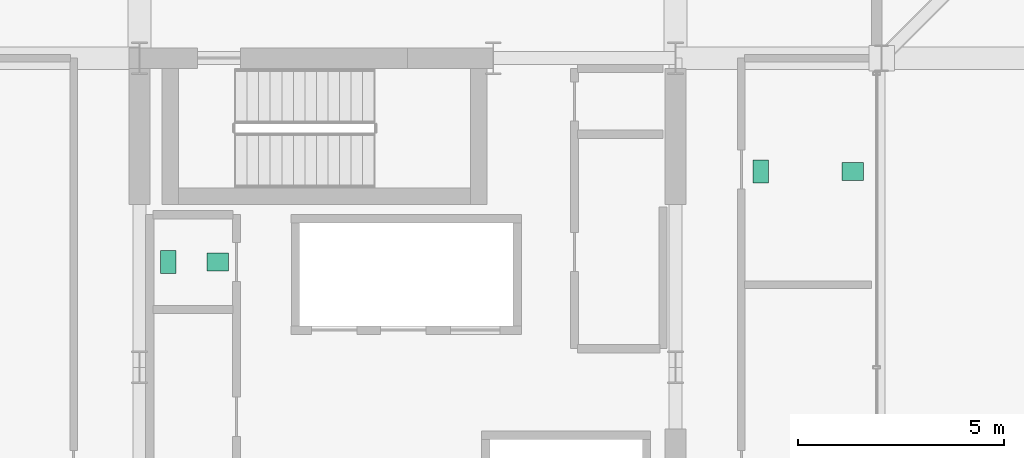
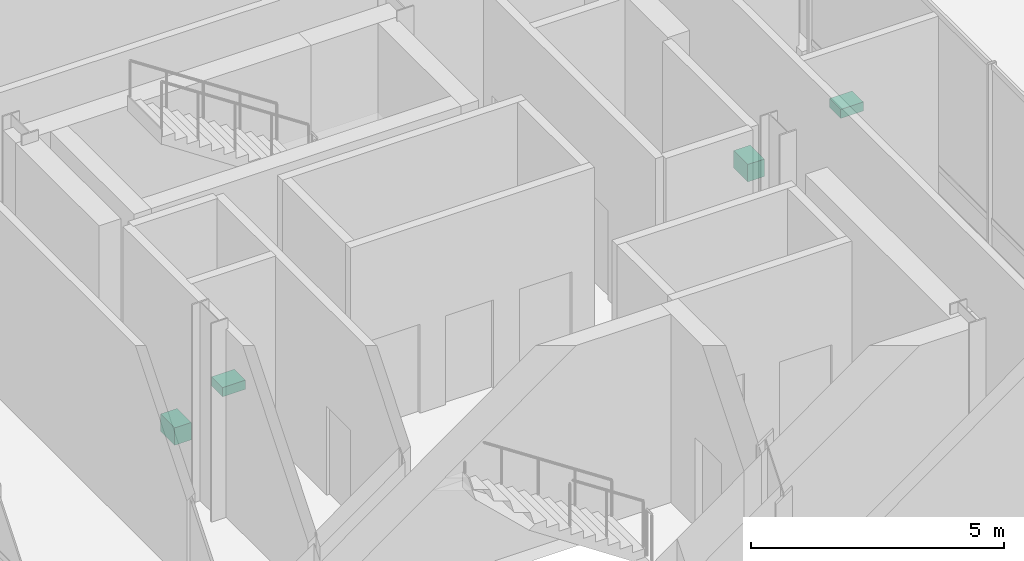
# One storey, part 17 of 17: 4 sanitary terminals.
"""IFC4 building model written with IfcOpenShell, lengths in metres."""

import ifcopenshell
import ifcopenshell.guid

model = None  # the IFC model being written
_history = None  # IfcOwnerHistory: only IFC2X3 demands one
_inside = {}  # id of a spatial element -> (the spatial element, [elements in it])
_under = {}  # id of a project, library or spatial element -> (it, [spatial elements below it])
_declared = {}  # id of a project -> (the project, [libraries it declares])
_typed = {}  # id of a type object -> (the type object, [elements of that type])
_made_of = {}  # id of a material, layer set ... -> (it, [elements and type objects made of it])


def new_model(schema):
    """Start an empty IFC model of exactly this schema.

    Asked for "IFC4X3", IfcOpenShell would pick the latest addendum, in which some entities
    have other attributes; the version numbers below select the first issue.
    IFC2X3 requires an IfcOwnerHistory on every rooted entity: one is made here for all.
    """
    global model, _history
    if schema == "IFC4X3":
        model = ifcopenshell.file(schema_version=(4, 3, 0, 0))
    else:
        model = ifcopenshell.file(schema=schema)
    _inside.clear()
    _under.clear()
    _declared.clear()
    _typed.clear()
    _made_of.clear()
    _history = None
    if model.schema == "IFC2X3":
        org = make("IfcOrganization", Name="unknown")
        user = make(
            "IfcPersonAndOrganization",
            ThePerson=make("IfcPerson", FamilyName="unknown"),
            TheOrganization=org,
        )
        app = make(
            "IfcApplication",
            ApplicationDeveloper=org,
            Version="unknown",
            ApplicationFullName="unknown",
            ApplicationIdentifier="unknown",
        )
        _history = make(
            "IfcOwnerHistory",
            OwningUser=user,
            OwningApplication=app,
            ChangeAction="ADDED",
            CreationDate=0,
        )
    return model


def make(cls, **values):
    """One entity of the class cls with the attributes given. An attribute that is None is left unset."""
    return model.create_entity(
        cls, **{name: value for name, value in values.items() if value is not None}
    )


def rooted(cls, **values):
    """An entity with a GlobalId (a new one), such as an element, a storey or a relation."""
    return make(cls, GlobalId=ifcopenshell.guid.new(), OwnerHistory=_history, **values)


def si_unit(unit_type, name, prefix=None):
    """IfcSIUnit, for example si_unit("LENGTHUNIT", "METRE", prefix="MILLI")."""
    return make("IfcSIUnit", UnitType=unit_type, Prefix=prefix, Name=name)


def assignment(units):
    """IfcUnitAssignment: the units of a project."""
    return None if units is None else make("IfcUnitAssignment", Units=units)


def point(xyz):
    """IfcCartesianPoint."""
    return None if xyz is None else make("IfcCartesianPoint", Coordinates=xyz)


def direction(xyz):
    """IfcDirection."""
    return None if xyz is None else make("IfcDirection", DirectionRatios=xyz)


def frame(location, z_axis=None, x_axis=None):
    """IfcAxis2Placement3D, a coordinate frame: its origin and axes. An axis left out is left unset."""
    return make(
        "IfcAxis2Placement3D",
        Location=point(location),
        Axis=direction(z_axis),
        RefDirection=direction(x_axis),
    )


def frame_2d(location, x_axis=None):
    """IfcAxis2Placement2D, a coordinate frame in the plane: its origin and x axis."""
    return make(
        "IfcAxis2Placement2D", Location=point(location), RefDirection=direction(x_axis)
    )


def origin():
    """The frame at (0, 0, 0) with its axes left unset."""
    return frame((0.0, 0.0, 0.0))


def origin_2d():
    """The frame at (0, 0) in the plane with its x axis left unset."""
    return frame_2d((0.0, 0.0))


def place(relative_to, where):
    """IfcLocalPlacement: puts the frame where relative to a parent placement (None: the world)."""
    return make(
        "IfcLocalPlacement", PlacementRelTo=relative_to, RelativePlacement=where
    )


def context(
    kind, dimensions, precision=None, world=None, true_north=None, identifier=None
):
    """IfcGeometricRepresentationContext, for example the 3D "Model" context."""
    return make(
        "IfcGeometricRepresentationContext",
        ContextIdentifier=identifier,
        ContextType=kind,
        CoordinateSpaceDimension=dimensions,
        Precision=precision,
        WorldCoordinateSystem=world,
        TrueNorth=true_north,
    )


def subcontext(parent, identifier, kind, view, scale=None):
    """IfcGeometricRepresentationSubContext, for example "Body" below "Model"."""
    return make(
        "IfcGeometricRepresentationSubContext",
        ContextIdentifier=identifier,
        ContextType=kind,
        ParentContext=parent,
        TargetScale=scale,
        TargetView=view,
    )


def project(units=None, contexts=None):
    """IfcProject with its units and contexts."""
    return rooted(
        "IfcProject",
        Name="project",
        RepresentationContexts=contexts,
        UnitsInContext=assignment(units),
    )


def spatial(cls, under=None, at=None, **own):
    """A site, building, storey or space (cls), placed at a placement, below another one or the project."""
    s = rooted(cls, ObjectPlacement=at, **own)
    if under is not None:
        _under.setdefault(under.id(), (under, []))[1].append(s)
    return s


def profile(cls, at=None, kind="AREA", **sizes):
    """A parametric profile (cls). Its sizes go by their IFC names, for example OverallWidth=200.0."""
    return make(cls, ProfileType=kind, Position=at, **sizes)


def rectangle(**sizes):
    """IfcRectangleProfileDef."""
    return profile("IfcRectangleProfileDef", **sizes)


def extrude(swept, where, along, depth):
    """IfcExtrudedAreaSolid: the profile swept, set in the frame where, extruded along a direction by depth."""
    return make(
        "IfcExtrudedAreaSolid",
        SweptArea=swept,
        Position=where,
        ExtrudedDirection=direction(along),
        Depth=depth,
    )


def shape(context_of_items, identifier, shape_type, items):
    """IfcShapeRepresentation: the items that make up one representation, for example the "Body"."""
    return make(
        "IfcShapeRepresentation",
        ContextOfItems=context_of_items,
        RepresentationIdentifier=identifier,
        RepresentationType=shape_type,
        Items=items,
    )


def material(Name=None, Category=None):
    """IfcMaterial."""
    return make("IfcMaterial", Name=Name, Category=Category)


def made_of(thing, what):
    """Note that an element or type object is made of a material, layer set ...; save() writes the relation."""
    if what is not None:
        _made_of.setdefault(what.id(), (what, []))[1].append(thing)
    return thing


def type_object(cls, material=None, **own):
    """A type object (cls), such as IfcWallType, which elements share."""
    return made_of(rooted(cls, **own), material)


def element(
    cls,
    number,
    at=None,
    inside=None,
    cuts=None,
    type_object=None,
    material=None,
    context=None,
    identifier="Body",
    shape_type=None,
    held_by="IfcProductDefinitionShape",
    body=None,
    shapes=None,
    **own,
):
    """One element of the class cls, such as IfcWall. Its Tag is "e" and its number.

    at: its placement. inside: the storey or other place that contains it. cuts: it is an
    opening in that element (IfcRelVoidsElement). A single representation is given by context,
    identifier, shape_type and body (its items); several are given by shapes. held_by: the class
    of the entity that holds the representations. save() writes the other relations.
    """
    e = rooted(cls, Tag="e%d" % number, ObjectPlacement=at, **own)
    if body is not None:
        shapes = [shape(context, identifier, shape_type, body)]
    if shapes is not None:
        e.Representation = make(held_by, Representations=shapes)
    if inside is not None:
        _inside.setdefault(inside.id(), (inside, []))[1].append(e)
    if cuts is not None:
        rooted(
            "IfcRelVoidsElement", RelatingBuildingElement=cuts, RelatedOpeningElement=e
        )
    if type_object is not None:
        _typed.setdefault(type_object.id(), (type_object, []))[1].append(e)
    return made_of(e, material)


def aggregate(whole, parts):
    """IfcRelAggregates: a whole, such as a stair, and the parts it consists of."""
    return rooted("IfcRelAggregates", RelatingObject=whole, RelatedObjects=parts)


def save(model, path):
    """Write the relations noted so far, then the file.

    IfcRelAggregates (storeys below a building ...), IfcRelContainedInSpatialStructure (elements
    in a storey), IfcRelDefinesByType, IfcRelAssociatesMaterial and IfcRelDeclares: one each for
    every whole, place, type object, material and project.
    """
    for whole, parts in _under.values():
        aggregate(whole, parts)
    for where, things in _inside.values():
        rooted(
            "IfcRelContainedInSpatialStructure",
            RelatedElements=things,
            RelatingStructure=where,
        )
    for kind, things in _typed.values():
        rooted("IfcRelDefinesByType", RelatedObjects=things, RelatingType=kind)
    for what, things in _made_of.values():
        rooted("IfcRelAssociatesMaterial", RelatedObjects=things, RelatingMaterial=what)
    for by, libraries in _declared.values():
        rooted("IfcRelDeclares", RelatingContext=by, RelatedDefinitions=libraries)
    model.write(path)


model = new_model("IFC4")

# Units and contexts
model_context = context("Model", 3, precision=1e-05, world=origin(), true_north=direction((0.0, 1.0)))
body_context = subcontext(model_context, "Body", "Model", "MODEL_VIEW")
ifc_project = project(units=[si_unit("LENGTHUNIT", "METRE"), si_unit("AREAUNIT", "SQUARE_METRE"), si_unit("VOLUMEUNIT", "CUBIC_METRE"), si_unit("PLANEANGLEUNIT", "RADIAN"), si_unit("MASSUNIT", "GRAM", prefix="KILO")], contexts=[model_context])

# Site, building, storey
site_placement = place(None, origin())
site = spatial("IfcSite", under=ifc_project, at=site_placement, CompositionType="ELEMENT")
building_placement = place(site_placement, origin())
building = spatial("IfcBuilding", under=site, at=building_placement, Name="Barlavira Tower and Art Museum", CompositionType="ELEMENT")
storey_placement = place(building_placement, frame((0.0, 0.0, 305.10009765625)))
storey = spatial("IfcBuildingStorey", under=building, at=storey_placement, Name="L80", CompositionType="ELEMENT", Elevation=305.10009765625)

# Sanitary terminals
ifc_material = material(Name="Vitreous glazed ceramic", Category="ceramic")
sanitary_terminal_type_1 = type_object("IfcSanitaryTerminalType", Name="Countertop Ceramic Wash Hand Basin", PredefinedType="WASHHANDBASIN", material=ifc_material)
for number, where, z_axis, x_axis, name in (
    (1, (-4.60009765625, 2.550048828125, 0.73974609375), (0.0, 0.0, 1.0), (1.0, 0.0, 0.0), "L80-C-REC1W Wash Basin"),
    (2, (10.800048828125, 4.75, 0.73974609375), (0.0, 0.0, 1.0), (1.0, 0.0, 0.0), "L80-OBS-AWC Wash Basin"),
):
    element("IfcSanitaryTerminal", number, at=place(storey_placement, frame(where, z_axis=z_axis, x_axis=x_axis)), inside=storey, type_object=sanitary_terminal_type_1, Name=name, PredefinedType="WASHHANDBASIN", context=body_context, shape_type="SweptSolid", body=[
        extrude(rectangle(XDim=0.52001953125, YDim=0.43994140625, at=origin_2d()), origin(), (0.0, 0.0, 1.0), 0.219970703125),
    ])
sanitary_terminal_type_2 = type_object("IfcSanitaryTerminalType", Name="Wall-Hung Dual-Flush Vitreous WC Pan", PredefinedType="TOILETPAN", material=ifc_material)
for number, where, z_axis, x_axis, name in (
    (3, (-5.800048828125, 2.550048828125, 0.0), (0.0, 0.0, 1.0), (1.0, 0.0, 0.0), "L80-C-REC1W WC Pan"),
    (4, (8.570068359375, 4.75, 0.0), (0.0, 0.0, 1.0), (1.0, 0.0, 0.0), "L80-OBS-AWC WC Pan"),
):
    element("IfcSanitaryTerminal", number, at=place(storey_placement, frame(where, z_axis=z_axis, x_axis=x_axis)), inside=storey, type_object=sanitary_terminal_type_2, Name=name, PredefinedType="TOILETPAN", context=body_context, shape_type="SweptSolid", body=[
        extrude(rectangle(XDim=0.3798828125, YDim=0.56005859375, at=origin_2d()), origin(), (0.0, 0.0, 1.0), 0.419921875),
    ])

save(model, "model.ifc")
